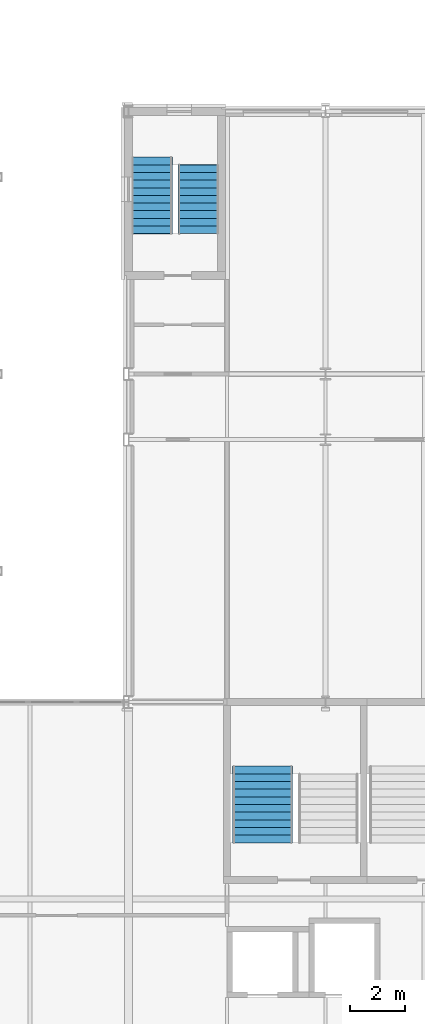
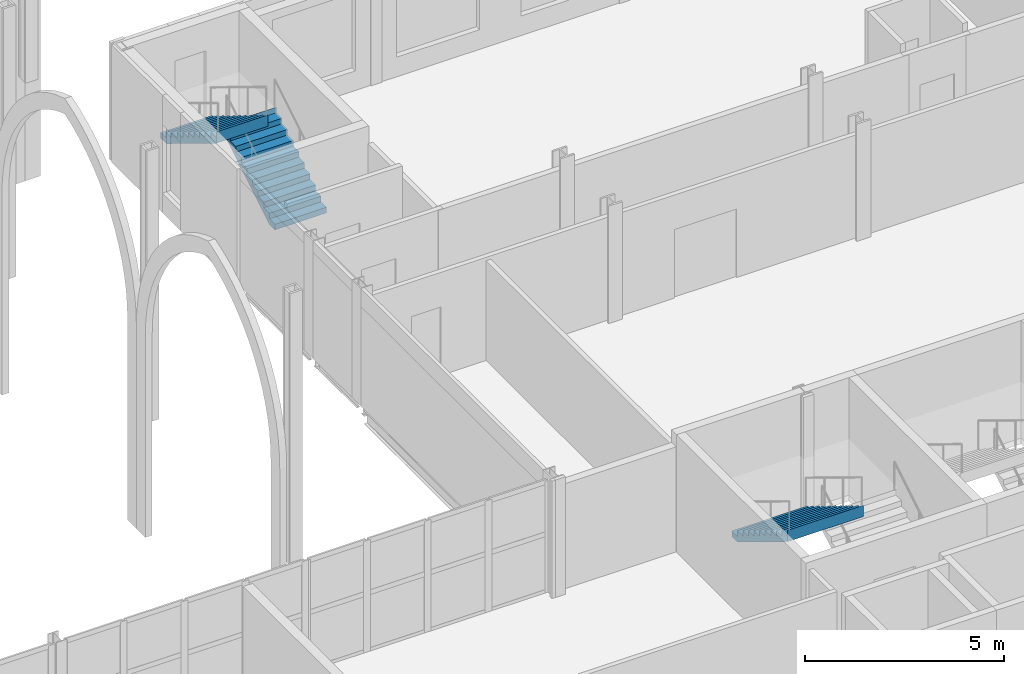
# One storey, part 89 of 124: 3 stair flights, 2 elements without a shape of their own.
"""IFC4 building model written with IfcOpenShell, lengths in metres."""

from ifc_helpers import new_model, si_unit, direction, frame, origin, place, context, subcontext, project, spatial, polyline, outline, extrude, material, type_object, element, aggregate, save


model = new_model("IFC4")

# Units and contexts
model_context = context("Model", 3, precision=1e-05, world=origin(), true_north=direction((0.0, 1.0)))
body_context = subcontext(model_context, "Body", "Model", "MODEL_VIEW")
ifc_project = project(units=[si_unit("LENGTHUNIT", "METRE"), si_unit("AREAUNIT", "SQUARE_METRE"), si_unit("VOLUMEUNIT", "CUBIC_METRE"), si_unit("PLANEANGLEUNIT", "RADIAN"), si_unit("MASSUNIT", "GRAM", prefix="KILO")], contexts=[model_context])

# Site, building, storey
site_placement = place(None, origin())
site = spatial("IfcSite", under=ifc_project, at=site_placement, CompositionType="ELEMENT")
building_placement = place(site_placement, origin())
building = spatial("IfcBuilding", under=site, at=building_placement, Name="Kupolbacken Congress Centre", CompositionType="ELEMENT")
storey_placement = place(building_placement, frame((0.0, 0.0, 10.800048828125)))
storey = spatial("IfcBuildingStorey", under=building, at=storey_placement, Name="L03", CompositionType="ELEMENT", Elevation=10.800048828125)

# Stair, stair flight
ifc_material_1 = material(Name="Concrete C30/37", Category="concrete")
stair_type_1 = type_object("IfcStairType", Name="ST13 stair 2200", PredefinedType="TWO_STRAIGHT_RUN_STAIR", material=ifc_material_1)
stair_1_placement = place(storey_placement, origin())
stair_1 = element("IfcStair", 1, at=stair_1_placement, inside=storey, type_object=stair_type_1, Name="C/stair/PS1NE/L03", PredefinedType="NOTDEFINED")
ifc_material_2 = material(Name="Concrete C30/37", Category="concrete")
stair_flight_type_1 = type_object("IfcStairFlightType", Name="FL14 stair flight 2200 x 11 risers", PredefinedType="STRAIGHT", material=ifc_material_2)
stair_flight_1_placement = place(storey_placement, frame((69.699951171875, 120.054931640625, 1.71435546875), z_axis=(0.0, 0.0, 1.0), x_axis=(0.0, -1.0, 0.0)))
stair_flight_1 = element("IfcStairFlight", 2, at=stair_flight_1_placement, type_object=stair_flight_type_1, Name="PS1NE flight 2", NumberOfRisers=11, NumberOfTreads=10, PredefinedType="STRAIGHT", RiserHeight=0.171428571, TreadLength=0.28, context=body_context, shape_type="SweptSolid", body=[
    extrude(outline(polyline([(0.0, 0.0), (0.0, 0.0009765625), (0.0, 0.002197265625), (0.0, 0.003173828125), (0.0, 0.004150390625), (0.0, 0.00537109375), (0.0, 0.00634765625), (0.0, 0.007568359375), (0.0, 0.008544921875), (0.0, 0.009521484375), (0.0, 0.0107421875), (0.0, 0.01171875), (0.0, 0.0126953125), (0.0, 0.013916015625), (0.0, 0.014892578125), (0.0, 0.015869140625), (0.0, 0.01708984375), (0.0, 0.01806640625), (0.0, 0.019287109375), (0.0, 0.020263671875), (0.0, 0.021240234375), (0.0, 0.0224609375), (0.0, 0.0234375), (0.0, 0.0244140625), (0.0, 0.025634765625), (0.0, 0.026611328125), (0.0, 0.027587890625), (0.0, 0.02880859375), (0.0, 0.02978515625), (0.0, 0.03076171875), (0.0, 0.031982421875), (0.0, 0.032958984375), (0.0, 0.0341796875), (0.0, 0.03515625), (0.0, 0.0361328125), (0.0, 0.037353515625), (0.0, 0.038330078125), (0.0, 0.039306640625), (0.0, 0.04052734375), (0.0, 0.04150390625), (0.0, 0.04248046875), (0.0, 0.043701171875), (0.0, 0.044677734375), (0.0, 0.0458984375), (0.0, 0.046875), (0.0, 0.0478515625), (0.0, 0.049072265625), (0.0, 0.050048828125), (0.0, 0.051025390625), (0.0, 0.05224609375), (0.0, 0.05322265625), (0.0, 0.05419921875), (0.0, 0.055419921875), (0.0, 0.056396484375), (0.0, 0.0576171875), (0.0, 0.05859375), (0.0, 0.0595703125), (0.0, 0.060791015625), (0.0, 0.061767578125), (0.0, 0.062744140625), (0.0, 0.06396484375), (0.0, 0.06494140625), (0.0, 0.06591796875), (0.0, 0.067138671875), (0.0, 0.068115234375), (0.0, 0.069091796875), (0.0, 0.0703125), (0.0, 0.0712890625), (0.0, 0.072509765625), (0.0, 0.073486328125), (0.0, 0.074462890625), (0.0, 0.07568359375), (0.0, 0.07666015625), (0.0, 0.07763671875), (0.0, 0.078857421875), (0.0, 0.079833984375), (0.0, 0.080810546875), (0.0, 0.08203125), (0.0, 0.0830078125), (0.0, 0.084228515625), (0.0, 0.085205078125), (0.0, 0.086181640625), (0.0, 0.08740234375), (0.0, 0.08837890625), (0.0, 0.08935546875), (0.0, 0.090576171875), (0.0, 0.091552734375), (0.0, 0.092529296875), (0.0, 0.09375), (0.0, 0.0947265625), (0.0, 0.095947265625), (0.0, 0.096923828125), (0.0, 0.097900390625), (0.0, 0.09912109375), (0.0, 0.10009765625), (0.0, 0.10107421875), (0.0, 0.102294921875), (0.0, 0.103271484375), (0.0, 0.104248046875), (0.0, 0.10546875), (0.0, 0.1064453125), (0.0, 0.107421875), (0.0, 0.108642578125), (0.0, 0.109619140625), (0.0, 0.11083984375), (0.0, 0.11181640625), (0.0, 0.11279296875), (0.0, 0.114013671875), (0.0, 0.114990234375), (0.0, 0.115966796875), (0.0, 0.1171875), (0.0, 0.1181640625), (0.0, 0.119140625), (0.0, 0.120361328125), (0.0, 0.121337890625), (0.0, 0.12255859375), (0.0, 0.12353515625), (0.0, 0.12451171875), (0.0, 0.125732421875), (0.0, 0.126708984375), (0.0, 0.127685546875), (0.0, 0.12890625), (0.0, 0.1298828125), (0.0, 0.130859375), (0.0, 0.132080078125), (0.0, 0.133056640625), (0.0, 0.13427734375), (0.0, 0.13525390625), (0.0, 0.13623046875), (0.0, 0.137451171875), (0.0, 0.138427734375), (0.0, 0.139404296875), (0.0, 0.140625), (0.0, 0.1416015625), (0.0, 0.142578125), (0.0, 0.143798828125), (0.0, 0.144775390625), (0.0, 0.145751953125), (0.0, 0.14697265625), (0.0, 0.14794921875), (0.0, 0.149169921875), (0.0, 0.150146484375), (0.0, 0.151123046875), (0.0, 0.15234375), (0.0, 0.1533203125), (0.0, 0.154296875), (0.0, 0.155517578125), (0.0, 0.156494140625), (0.0, 0.157470703125), (0.0, 0.15869140625), (0.0, 0.15966796875), (0.0, 0.160888671875), (0.0, 0.161865234375), (0.0, 0.162841796875), (0.0, 0.1640625), (0.0, 0.1650390625), (0.0, 0.166015625), (0.0, 0.167236328125), (0.0, 0.168212890625), (0.0, 0.169189453125), (0.0, 0.17041015625), (0.0, 0.17138671875), (0.280029296875, 0.17138671875), (0.280029296875, 0.3427734375), (0.56005859375, 0.3427734375), (0.56005859375, 0.514404296875), (0.840087890625, 0.514404296875), (0.840087890625, 0.685791015625), (1.1201171875, 0.685791015625), (1.1201171875, 0.857177734375), (1.39990234375, 0.857177734375), (1.39990234375, 1.028564453125), (1.679931640625, 1.028564453125), (1.679931640625, 1.199951171875), (1.9599609375, 1.199951171875), (1.9599609375, 1.371337890625), (2.239990234375, 1.371337890625), (2.239990234375, 1.54296875), (2.52001953125, 1.54296875), (2.52001953125, 1.71435546875), (2.800048828125, 1.71435546875), (2.800048828125, 1.8857421875), (2.802001953125, 1.8857421875), (2.802001953125, 1.883544921875), (2.802001953125, 1.88134765625), (2.802001953125, 1.879150390625), (2.802001953125, 1.877197265625), (2.802001953125, 1.875), (2.802001953125, 1.872802734375), (2.802001953125, 1.87060546875), (2.802001953125, 1.868408203125), (2.802001953125, 1.8662109375), (2.802001953125, 1.8642578125), (2.802001953125, 1.862060546875), (2.802001953125, 1.85986328125), (2.802001953125, 1.857666015625), (2.802001953125, 1.85546875), (2.802001953125, 1.853271484375), (2.802001953125, 1.851318359375), (2.802001953125, 1.84912109375), (2.802001953125, 1.846923828125), (2.802001953125, 1.8447265625), (2.802001953125, 1.842529296875), (2.802001953125, 1.84033203125), (2.802001953125, 1.83837890625), (2.802001953125, 1.836181640625), (2.802001953125, 1.833984375), (2.802001953125, 1.831787109375), (2.802001953125, 1.82958984375), (2.802001953125, 1.827392578125), (2.802001953125, 1.825439453125), (2.802001953125, 1.8232421875), (2.802001953125, 1.821044921875), (2.802001953125, 1.81884765625), (2.802001953125, 1.816650390625), (2.802001953125, 1.814453125), (2.802001953125, 1.8125), (2.802001953125, 1.810302734375), (2.802001953125, 1.80810546875), (2.802001953125, 1.805908203125), (2.802001953125, 1.8037109375), (2.802001953125, 1.801513671875), (2.802001953125, 1.799560546875), (2.802001953125, 1.79736328125), (2.802001953125, 1.795166015625), (2.802001953125, 1.79296875), (2.802001953125, 1.790771484375), (2.802001953125, 1.78857421875), (2.802001953125, 1.78662109375), (2.802001953125, 1.784423828125), (2.802001953125, 1.7822265625), (2.802001953125, 1.780029296875), (2.802001953125, 1.77783203125), (2.802001953125, 1.775634765625), (2.802001953125, 1.773681640625), (2.802001953125, 1.771484375), (2.802001953125, 1.769287109375), (2.802001953125, 1.76708984375), (2.802001953125, 1.764892578125), (2.802001953125, 1.7626953125), (2.802001953125, 1.7607421875), (2.802001953125, 1.758544921875), (2.802001953125, 1.75634765625), (2.802001953125, 1.754150390625), (2.802001953125, 1.751953125), (2.802001953125, 1.749755859375), (2.802001953125, 1.747802734375), (2.802001953125, 1.74560546875), (2.802001953125, 1.743408203125), (2.802001953125, 1.7412109375), (2.802001953125, 1.739013671875), (2.802001953125, 1.73681640625), (2.802001953125, 1.73486328125), (2.802001953125, 1.732666015625), (2.802001953125, 1.73046875), (2.802001953125, 1.728271484375), (2.802001953125, 1.72607421875), (2.802001953125, 1.723876953125), (2.802001953125, 1.721923828125), (2.802001953125, 1.7197265625), (2.802001953125, 1.717529296875), (2.802001953125, 1.71533203125), (2.802001953125, 1.713134765625), (2.802001953125, 1.7109375), (2.802001953125, 1.708984375), (2.802001953125, 1.706787109375), (2.802001953125, 1.70458984375), (2.802001953125, 1.702392578125), (2.802001953125, 1.7001953125), (2.802001953125, 1.697998046875), (2.802001953125, 1.696044921875), (2.802001953125, 1.69384765625), (2.802001953125, 1.691650390625), (2.802001953125, 1.689453125), (2.802001953125, 1.687255859375), (2.802001953125, 1.68505859375), (2.802001953125, 1.68310546875), (2.802001953125, 1.680908203125), (2.802001953125, 1.6787109375), (2.802001953125, 1.676513671875), (2.802001953125, 1.67431640625), (2.802001953125, 1.672119140625), (2.802001953125, 1.670166015625), (2.802001953125, 1.66796875), (2.802001953125, 1.665771484375), (2.802001953125, 1.66357421875), (2.802001953125, 1.661376953125), (2.802001953125, 1.6591796875), (2.802001953125, 1.6572265625), (2.802001953125, 1.655029296875), (2.802001953125, 1.65283203125), (2.802001953125, 1.650634765625), (2.802001953125, 1.6484375), (2.802001953125, 1.646240234375), (2.802001953125, 1.644287109375), (2.802001953125, 1.64208984375), (2.802001953125, 1.639892578125), (2.802001953125, 1.6376953125), (2.802001953125, 1.635498046875), (2.802001953125, 1.63330078125), (2.802001953125, 1.63134765625), (2.802001953125, 1.629150390625), (2.802001953125, 1.626953125), (2.802001953125, 1.624755859375), (2.802001953125, 1.62255859375), (2.802001953125, 1.620361328125), (2.802001953125, 1.618408203125), (2.802001953125, 1.6162109375), (2.802001953125, 1.614013671875), (2.802001953125, 1.61181640625), (2.802001953125, 1.609619140625), (2.802001953125, 1.607421875), (2.802001953125, 1.60546875), (2.802001953125, 1.603271484375), (2.802001953125, 1.60107421875), (2.802001953125, 1.598876953125), (2.802001953125, 1.5966796875), (2.802001953125, 1.594482421875), (2.802001953125, 1.592529296875), (2.802001953125, 1.59033203125), (2.802001953125, 1.588134765625), (2.802001953125, 1.5859375), (2.802001953125, 1.583740234375), (2.802001953125, 1.58154296875), (2.802001953125, 1.57958984375), (2.802001953125, 1.577392578125), (2.802001953125, 1.5751953125), (2.802001953125, 1.572998046875), (2.802001953125, 1.57080078125), (2.802001953125, 1.568603515625), (2.802001953125, 1.566650390625), (2.802001953125, 1.564453125), (2.802001953125, 1.562255859375), (2.802001953125, 1.56005859375), (2.802001953125, 1.557861328125), (2.802001953125, 1.5556640625), (2.802001953125, 1.5537109375), (2.802001953125, 1.551513671875), (2.802001953125, 1.54931640625), (2.802001953125, 1.547119140625), (2.802001953125, 1.544921875), (2.802001953125, 1.542724609375), (2.802001953125, 1.540771484375), (2.802001953125, 1.53857421875), (0.2890625, 0.0), (0.0, 0.0)])), frame((0.0, 1.10009765625, 0.0), z_axis=(0.0, -1.0, 0.0), x_axis=(1.0, 0.0, 0.0)), (0.0, 0.0, 1.0), 2.199951171875),
])
aggregate(stair_1, [stair_flight_1])

# Stair, stair flights
ifc_material_3 = material(Name="Steel S355", Category="steel")
stair_type_2 = type_object("IfcStairType", Name="ST2 stair 1500", PredefinedType="TWO_STRAIGHT_RUN_STAIR", material=ifc_material_3)
stair_2_placement = place(storey_placement, origin())
stair_2 = element("IfcStair", 3, at=stair_2_placement, inside=storey, type_object=stair_type_2, Name="C/stair/TS3/L03", PredefinedType="NOTDEFINED")
ifc_material_4 = material(Name="Steel S355", Category="steel")
stair_flight_type_2 = type_object("IfcStairFlightType", Name="FL3 stair flight 1500 x 10 risers", PredefinedType="STRAIGHT", material=ifc_material_4)
stair_flight_2_placement = place(storey_placement, frame((67.35009765625, 139.530029296875, 0.0), z_axis=(0.0, 0.0, 1.0), x_axis=(0.0, 1.0, 0.0)))
stair_flight_2 = element("IfcStairFlight", 4, at=stair_flight_2_placement, type_object=stair_flight_type_2, Name="TS3 flight 1", NumberOfRisers=10, NumberOfTreads=9, PredefinedType="STRAIGHT", RiserHeight=0.171428571, TreadLength=0.28, context=body_context, shape_type="SweptSolid", body=[
    extrude(outline(polyline([(0.0, 0.0), (0.0, 0.0009765625), (0.0, 0.002197265625), (0.0, 0.003173828125), (0.0, 0.004150390625), (0.0, 0.00537109375), (0.0, 0.00634765625), (0.0, 0.007568359375), (0.0, 0.008544921875), (0.0, 0.009521484375), (0.0, 0.0107421875), (0.0, 0.01171875), (0.0, 0.0126953125), (0.0, 0.013916015625), (0.0, 0.014892578125), (0.0, 0.015869140625), (0.0, 0.01708984375), (0.0, 0.01806640625), (0.0, 0.019287109375), (0.0, 0.020263671875), (0.0, 0.021240234375), (0.0, 0.0224609375), (0.0, 0.0234375), (0.0, 0.0244140625), (0.0, 0.025634765625), (0.0, 0.026611328125), (0.0, 0.027587890625), (0.0, 0.02880859375), (0.0, 0.02978515625), (0.0, 0.03076171875), (0.0, 0.031982421875), (0.0, 0.032958984375), (0.0, 0.0341796875), (0.0, 0.03515625), (0.0, 0.0361328125), (0.0, 0.037353515625), (0.0, 0.038330078125), (0.0, 0.039306640625), (0.0, 0.04052734375), (0.0, 0.04150390625), (0.0, 0.04248046875), (0.0, 0.043701171875), (0.0, 0.044677734375), (0.0, 0.0458984375), (0.0, 0.046875), (0.0, 0.0478515625), (0.0, 0.049072265625), (0.0, 0.050048828125), (0.0, 0.051025390625), (0.0, 0.05224609375), (0.0, 0.05322265625), (0.0, 0.05419921875), (0.0, 0.055419921875), (0.0, 0.056396484375), (0.0, 0.0576171875), (0.0, 0.05859375), (0.0, 0.0595703125), (0.0, 0.060791015625), (0.0, 0.061767578125), (0.0, 0.062744140625), (0.0, 0.06396484375), (0.0, 0.06494140625), (0.0, 0.06591796875), (0.0, 0.067138671875), (0.0, 0.068115234375), (0.0, 0.069091796875), (0.0, 0.0703125), (0.0, 0.0712890625), (0.0, 0.072509765625), (0.0, 0.073486328125), (0.0, 0.074462890625), (0.0, 0.07568359375), (0.0, 0.07666015625), (0.0, 0.07763671875), (0.0, 0.078857421875), (0.0, 0.079833984375), (0.0, 0.080810546875), (0.0, 0.08203125), (0.0, 0.0830078125), (0.0, 0.084228515625), (0.0, 0.085205078125), (0.0, 0.086181640625), (0.0, 0.08740234375), (0.0, 0.08837890625), (0.0, 0.08935546875), (0.0, 0.090576171875), (0.0, 0.091552734375), (0.0, 0.092529296875), (0.0, 0.09375), (0.0, 0.0947265625), (0.0, 0.095947265625), (0.0, 0.096923828125), (0.0, 0.097900390625), (0.0, 0.09912109375), (0.0, 0.10009765625), (0.0, 0.10107421875), (0.0, 0.102294921875), (0.0, 0.103271484375), (0.0, 0.104248046875), (0.0, 0.10546875), (0.0, 0.1064453125), (0.0, 0.107421875), (0.0, 0.108642578125), (0.0, 0.109619140625), (0.0, 0.11083984375), (0.0, 0.11181640625), (0.0, 0.11279296875), (0.0, 0.114013671875), (0.0, 0.114990234375), (0.0, 0.115966796875), (0.0, 0.1171875), (0.0, 0.1181640625), (0.0, 0.119140625), (0.0, 0.120361328125), (0.0, 0.121337890625), (0.0, 0.12255859375), (0.0, 0.12353515625), (0.0, 0.12451171875), (0.0, 0.125732421875), (0.0, 0.126708984375), (0.0, 0.127685546875), (0.0, 0.12890625), (0.0, 0.1298828125), (0.0, 0.130859375), (0.0, 0.132080078125), (0.0, 0.133056640625), (0.0, 0.13427734375), (0.0, 0.13525390625), (0.0, 0.13623046875), (0.0, 0.137451171875), (0.0, 0.138427734375), (0.0, 0.139404296875), (0.0, 0.140625), (0.0, 0.1416015625), (0.0, 0.142578125), (0.0, 0.143798828125), (0.0, 0.144775390625), (0.0, 0.145751953125), (0.0, 0.14697265625), (0.0, 0.14794921875), (0.0, 0.149169921875), (0.0, 0.150146484375), (0.0, 0.151123046875), (0.0, 0.15234375), (0.0, 0.1533203125), (0.0, 0.154296875), (0.0, 0.155517578125), (0.0, 0.156494140625), (0.0, 0.157470703125), (0.0, 0.15869140625), (0.0, 0.15966796875), (0.0, 0.160888671875), (0.0, 0.161865234375), (0.0, 0.162841796875), (0.0, 0.1640625), (0.0, 0.1650390625), (0.0, 0.166015625), (0.0, 0.167236328125), (0.0, 0.168212890625), (0.0, 0.169189453125), (0.0, 0.17041015625), (0.0, 0.17138671875), (0.280029296875, 0.17138671875), (0.280029296875, 0.3427734375), (0.56005859375, 0.3427734375), (0.56005859375, 0.514404296875), (0.840087890625, 0.514404296875), (0.840087890625, 0.685791015625), (1.1201171875, 0.685791015625), (1.1201171875, 0.857177734375), (1.39990234375, 0.857177734375), (1.39990234375, 1.028564453125), (1.679931640625, 1.028564453125), (1.679931640625, 1.199951171875), (1.9599609375, 1.199951171875), (1.9599609375, 1.371337890625), (2.239990234375, 1.371337890625), (2.239990234375, 1.54296875), (2.52001953125, 1.54296875), (2.52001953125, 1.71435546875), (2.52197265625, 1.71435546875), (2.52197265625, 1.712158203125), (2.52197265625, 1.7099609375), (2.52197265625, 1.707763671875), (2.52197265625, 1.70556640625), (2.52197265625, 1.70361328125), (2.52197265625, 1.701416015625), (2.52197265625, 1.69921875), (2.52197265625, 1.697021484375), (2.52197265625, 1.69482421875), (2.52197265625, 1.692626953125), (2.52197265625, 1.690673828125), (2.52197265625, 1.6884765625), (2.52197265625, 1.686279296875), (2.52197265625, 1.68408203125), (2.52197265625, 1.681884765625), (2.52197265625, 1.6796875), (2.52197265625, 1.677734375), (2.52197265625, 1.675537109375), (2.52197265625, 1.67333984375), (2.52197265625, 1.671142578125), (2.52197265625, 1.6689453125), (2.52197265625, 1.666748046875), (2.52197265625, 1.664794921875), (2.52197265625, 1.66259765625), (2.52197265625, 1.660400390625), (2.52197265625, 1.658203125), (2.52197265625, 1.656005859375), (2.52197265625, 1.65380859375), (2.52197265625, 1.65185546875), (2.52197265625, 1.649658203125), (2.52197265625, 1.6474609375), (2.52197265625, 1.645263671875), (2.52197265625, 1.64306640625), (2.52197265625, 1.640869140625), (2.52197265625, 1.638916015625), (2.52197265625, 1.63671875), (2.52197265625, 1.634521484375), (2.52197265625, 1.63232421875), (2.52197265625, 1.630126953125), (2.52197265625, 1.6279296875), (2.52197265625, 1.6259765625), (2.52197265625, 1.623779296875), (2.52197265625, 1.62158203125), (2.52197265625, 1.619384765625), (2.52197265625, 1.6171875), (2.52197265625, 1.614990234375), (2.52197265625, 1.613037109375), (2.52197265625, 1.61083984375), (2.52197265625, 1.608642578125), (2.52197265625, 1.6064453125), (2.52197265625, 1.604248046875), (2.52197265625, 1.60205078125), (2.52197265625, 1.60009765625), (2.52197265625, 1.597900390625), (2.52197265625, 1.595703125), (2.52197265625, 1.593505859375), (2.52197265625, 1.59130859375), (2.52197265625, 1.589111328125), (2.52197265625, 1.587158203125), (2.52197265625, 1.5849609375), (2.52197265625, 1.582763671875), (2.52197265625, 1.58056640625), (2.52197265625, 1.578369140625), (2.52197265625, 1.576171875), (2.52197265625, 1.57421875), (2.52197265625, 1.572021484375), (2.52197265625, 1.56982421875), (2.52197265625, 1.567626953125), (2.52197265625, 1.5654296875), (2.52197265625, 1.563232421875), (2.52197265625, 1.561279296875), (2.52197265625, 1.55908203125), (2.52197265625, 1.556884765625), (2.52197265625, 1.5546875), (2.52197265625, 1.552490234375), (2.52197265625, 1.55029296875), (2.52197265625, 1.54833984375), (2.52197265625, 1.546142578125), (2.52197265625, 1.5439453125), (2.52197265625, 1.541748046875), (2.52197265625, 1.53955078125), (2.52197265625, 1.537353515625), (2.52197265625, 1.535400390625), (2.52197265625, 1.533203125), (2.52197265625, 1.531005859375), (2.52197265625, 1.52880859375), (2.52197265625, 1.526611328125), (2.52197265625, 1.5244140625), (2.52197265625, 1.5224609375), (2.52197265625, 1.520263671875), (2.52197265625, 1.51806640625), (2.52197265625, 1.515869140625), (2.52197265625, 1.513671875), (2.52197265625, 1.511474609375), (2.52197265625, 1.509521484375), (2.52197265625, 1.50732421875), (2.52197265625, 1.505126953125), (2.52197265625, 1.5029296875), (2.52197265625, 1.500732421875), (2.52197265625, 1.49853515625), (2.52197265625, 1.49658203125), (2.52197265625, 1.494384765625), (2.52197265625, 1.4921875), (2.52197265625, 1.489990234375), (2.52197265625, 1.48779296875), (2.52197265625, 1.485595703125), (2.52197265625, 1.483642578125), (2.52197265625, 1.4814453125), (2.52197265625, 1.479248046875), (2.52197265625, 1.47705078125), (2.52197265625, 1.474853515625), (2.52197265625, 1.47265625), (2.52197265625, 1.470703125), (2.52197265625, 1.468505859375), (2.52197265625, 1.46630859375), (2.52197265625, 1.464111328125), (2.52197265625, 1.4619140625), (2.52197265625, 1.459716796875), (2.52197265625, 1.457763671875), (2.52197265625, 1.45556640625), (2.52197265625, 1.453369140625), (2.52197265625, 1.451171875), (2.52197265625, 1.448974609375), (2.52197265625, 1.44677734375), (2.52197265625, 1.44482421875), (2.52197265625, 1.442626953125), (2.52197265625, 1.4404296875), (2.52197265625, 1.438232421875), (2.52197265625, 1.43603515625), (2.52197265625, 1.433837890625), (2.52197265625, 1.431884765625), (2.52197265625, 1.4296875), (2.52197265625, 1.427490234375), (2.52197265625, 1.42529296875), (2.52197265625, 1.423095703125), (2.52197265625, 1.4208984375), (2.52197265625, 1.4189453125), (2.52197265625, 1.416748046875), (2.52197265625, 1.41455078125), (2.52197265625, 1.412353515625), (2.52197265625, 1.41015625), (2.52197265625, 1.407958984375), (2.52197265625, 1.406005859375), (2.52197265625, 1.40380859375), (2.52197265625, 1.401611328125), (2.52197265625, 1.3994140625), (2.52197265625, 1.397216796875), (2.52197265625, 1.39501953125), (2.52197265625, 1.39306640625), (2.52197265625, 1.390869140625), (2.52197265625, 1.388671875), (2.52197265625, 1.386474609375), (2.52197265625, 1.38427734375), (2.52197265625, 1.382080078125), (2.52197265625, 1.380126953125), (2.52197265625, 1.3779296875), (2.52197265625, 1.375732421875), (2.52197265625, 1.37353515625), (2.52197265625, 1.371337890625), (2.52197265625, 1.369140625), (2.52197265625, 1.3671875), (0.2890625, 0.0), (0.0, 0.0)])), frame((0.0, 0.75, 0.0), z_axis=(0.0, -1.0, 0.0), x_axis=(1.0, 0.0, 0.0)), (0.0, 0.0, 1.0), 1.5),
])
ifc_material_5 = material(Name="Steel S355", Category="steel")
stair_flight_type_3 = type_object("IfcStairFlightType", Name="FL4 stair flight 1500 x 11 risers", PredefinedType="STRAIGHT", material=ifc_material_5)
stair_flight_3_placement = place(storey_placement, frame((65.64990234375, 142.330078125, 1.71435546875), z_axis=(0.0, 0.0, 1.0), x_axis=(0.0, -1.0, 0.0)))
stair_flight_3 = element("IfcStairFlight", 5, at=stair_flight_3_placement, type_object=stair_flight_type_3, Name="TS3 flight 2", NumberOfRisers=11, NumberOfTreads=10, PredefinedType="STRAIGHT", RiserHeight=0.171428571, TreadLength=0.28, context=body_context, shape_type="SweptSolid", body=[
    extrude(outline(polyline([(0.0, 0.0), (0.0, 0.0009765625), (0.0, 0.002197265625), (0.0, 0.003173828125), (0.0, 0.004150390625), (0.0, 0.00537109375), (0.0, 0.00634765625), (0.0, 0.007568359375), (0.0, 0.008544921875), (0.0, 0.009521484375), (0.0, 0.0107421875), (0.0, 0.01171875), (0.0, 0.0126953125), (0.0, 0.013916015625), (0.0, 0.014892578125), (0.0, 0.015869140625), (0.0, 0.01708984375), (0.0, 0.01806640625), (0.0, 0.019287109375), (0.0, 0.020263671875), (0.0, 0.021240234375), (0.0, 0.0224609375), (0.0, 0.0234375), (0.0, 0.0244140625), (0.0, 0.025634765625), (0.0, 0.026611328125), (0.0, 0.027587890625), (0.0, 0.02880859375), (0.0, 0.02978515625), (0.0, 0.03076171875), (0.0, 0.031982421875), (0.0, 0.032958984375), (0.0, 0.0341796875), (0.0, 0.03515625), (0.0, 0.0361328125), (0.0, 0.037353515625), (0.0, 0.038330078125), (0.0, 0.039306640625), (0.0, 0.04052734375), (0.0, 0.04150390625), (0.0, 0.04248046875), (0.0, 0.043701171875), (0.0, 0.044677734375), (0.0, 0.0458984375), (0.0, 0.046875), (0.0, 0.0478515625), (0.0, 0.049072265625), (0.0, 0.050048828125), (0.0, 0.051025390625), (0.0, 0.05224609375), (0.0, 0.05322265625), (0.0, 0.05419921875), (0.0, 0.055419921875), (0.0, 0.056396484375), (0.0, 0.0576171875), (0.0, 0.05859375), (0.0, 0.0595703125), (0.0, 0.060791015625), (0.0, 0.061767578125), (0.0, 0.062744140625), (0.0, 0.06396484375), (0.0, 0.06494140625), (0.0, 0.06591796875), (0.0, 0.067138671875), (0.0, 0.068115234375), (0.0, 0.069091796875), (0.0, 0.0703125), (0.0, 0.0712890625), (0.0, 0.072509765625), (0.0, 0.073486328125), (0.0, 0.074462890625), (0.0, 0.07568359375), (0.0, 0.07666015625), (0.0, 0.07763671875), (0.0, 0.078857421875), (0.0, 0.079833984375), (0.0, 0.080810546875), (0.0, 0.08203125), (0.0, 0.0830078125), (0.0, 0.084228515625), (0.0, 0.085205078125), (0.0, 0.086181640625), (0.0, 0.08740234375), (0.0, 0.08837890625), (0.0, 0.08935546875), (0.0, 0.090576171875), (0.0, 0.091552734375), (0.0, 0.092529296875), (0.0, 0.09375), (0.0, 0.0947265625), (0.0, 0.095947265625), (0.0, 0.096923828125), (0.0, 0.097900390625), (0.0, 0.09912109375), (0.0, 0.10009765625), (0.0, 0.10107421875), (0.0, 0.102294921875), (0.0, 0.103271484375), (0.0, 0.104248046875), (0.0, 0.10546875), (0.0, 0.1064453125), (0.0, 0.107421875), (0.0, 0.108642578125), (0.0, 0.109619140625), (0.0, 0.11083984375), (0.0, 0.11181640625), (0.0, 0.11279296875), (0.0, 0.114013671875), (0.0, 0.114990234375), (0.0, 0.115966796875), (0.0, 0.1171875), (0.0, 0.1181640625), (0.0, 0.119140625), (0.0, 0.120361328125), (0.0, 0.121337890625), (0.0, 0.12255859375), (0.0, 0.12353515625), (0.0, 0.12451171875), (0.0, 0.125732421875), (0.0, 0.126708984375), (0.0, 0.127685546875), (0.0, 0.12890625), (0.0, 0.1298828125), (0.0, 0.130859375), (0.0, 0.132080078125), (0.0, 0.133056640625), (0.0, 0.13427734375), (0.0, 0.13525390625), (0.0, 0.13623046875), (0.0, 0.137451171875), (0.0, 0.138427734375), (0.0, 0.139404296875), (0.0, 0.140625), (0.0, 0.1416015625), (0.0, 0.142578125), (0.0, 0.143798828125), (0.0, 0.144775390625), (0.0, 0.145751953125), (0.0, 0.14697265625), (0.0, 0.14794921875), (0.0, 0.149169921875), (0.0, 0.150146484375), (0.0, 0.151123046875), (0.0, 0.15234375), (0.0, 0.1533203125), (0.0, 0.154296875), (0.0, 0.155517578125), (0.0, 0.156494140625), (0.0, 0.157470703125), (0.0, 0.15869140625), (0.0, 0.15966796875), (0.0, 0.160888671875), (0.0, 0.161865234375), (0.0, 0.162841796875), (0.0, 0.1640625), (0.0, 0.1650390625), (0.0, 0.166015625), (0.0, 0.167236328125), (0.0, 0.168212890625), (0.0, 0.169189453125), (0.0, 0.17041015625), (0.0, 0.17138671875), (0.280029296875, 0.17138671875), (0.280029296875, 0.3427734375), (0.56005859375, 0.3427734375), (0.56005859375, 0.514404296875), (0.840087890625, 0.514404296875), (0.840087890625, 0.685791015625), (1.1201171875, 0.685791015625), (1.1201171875, 0.857177734375), (1.39990234375, 0.857177734375), (1.39990234375, 1.028564453125), (1.679931640625, 1.028564453125), (1.679931640625, 1.199951171875), (1.9599609375, 1.199951171875), (1.9599609375, 1.371337890625), (2.239990234375, 1.371337890625), (2.239990234375, 1.54296875), (2.52001953125, 1.54296875), (2.52001953125, 1.71435546875), (2.800048828125, 1.71435546875), (2.800048828125, 1.8857421875), (2.802001953125, 1.8857421875), (2.802001953125, 1.883544921875), (2.802001953125, 1.88134765625), (2.802001953125, 1.879150390625), (2.802001953125, 1.877197265625), (2.802001953125, 1.875), (2.802001953125, 1.872802734375), (2.802001953125, 1.87060546875), (2.802001953125, 1.868408203125), (2.802001953125, 1.8662109375), (2.802001953125, 1.8642578125), (2.802001953125, 1.862060546875), (2.802001953125, 1.85986328125), (2.802001953125, 1.857666015625), (2.802001953125, 1.85546875), (2.802001953125, 1.853271484375), (2.802001953125, 1.851318359375), (2.802001953125, 1.84912109375), (2.802001953125, 1.846923828125), (2.802001953125, 1.8447265625), (2.802001953125, 1.842529296875), (2.802001953125, 1.84033203125), (2.802001953125, 1.83837890625), (2.802001953125, 1.836181640625), (2.802001953125, 1.833984375), (2.802001953125, 1.831787109375), (2.802001953125, 1.82958984375), (2.802001953125, 1.827392578125), (2.802001953125, 1.825439453125), (2.802001953125, 1.8232421875), (2.802001953125, 1.821044921875), (2.802001953125, 1.81884765625), (2.802001953125, 1.816650390625), (2.802001953125, 1.814453125), (2.802001953125, 1.8125), (2.802001953125, 1.810302734375), (2.802001953125, 1.80810546875), (2.802001953125, 1.805908203125), (2.802001953125, 1.8037109375), (2.802001953125, 1.801513671875), (2.802001953125, 1.799560546875), (2.802001953125, 1.79736328125), (2.802001953125, 1.795166015625), (2.802001953125, 1.79296875), (2.802001953125, 1.790771484375), (2.802001953125, 1.78857421875), (2.802001953125, 1.78662109375), (2.802001953125, 1.784423828125), (2.802001953125, 1.7822265625), (2.802001953125, 1.780029296875), (2.802001953125, 1.77783203125), (2.802001953125, 1.775634765625), (2.802001953125, 1.773681640625), (2.802001953125, 1.771484375), (2.802001953125, 1.769287109375), (2.802001953125, 1.76708984375), (2.802001953125, 1.764892578125), (2.802001953125, 1.7626953125), (2.802001953125, 1.7607421875), (2.802001953125, 1.758544921875), (2.802001953125, 1.75634765625), (2.802001953125, 1.754150390625), (2.802001953125, 1.751953125), (2.802001953125, 1.749755859375), (2.802001953125, 1.747802734375), (2.802001953125, 1.74560546875), (2.802001953125, 1.743408203125), (2.802001953125, 1.7412109375), (2.802001953125, 1.739013671875), (2.802001953125, 1.73681640625), (2.802001953125, 1.73486328125), (2.802001953125, 1.732666015625), (2.802001953125, 1.73046875), (2.802001953125, 1.728271484375), (2.802001953125, 1.72607421875), (2.802001953125, 1.723876953125), (2.802001953125, 1.721923828125), (2.802001953125, 1.7197265625), (2.802001953125, 1.717529296875), (2.802001953125, 1.71533203125), (2.802001953125, 1.713134765625), (2.802001953125, 1.7109375), (2.802001953125, 1.708984375), (2.802001953125, 1.706787109375), (2.802001953125, 1.70458984375), (2.802001953125, 1.702392578125), (2.802001953125, 1.7001953125), (2.802001953125, 1.697998046875), (2.802001953125, 1.696044921875), (2.802001953125, 1.69384765625), (2.802001953125, 1.691650390625), (2.802001953125, 1.689453125), (2.802001953125, 1.687255859375), (2.802001953125, 1.68505859375), (2.802001953125, 1.68310546875), (2.802001953125, 1.680908203125), (2.802001953125, 1.6787109375), (2.802001953125, 1.676513671875), (2.802001953125, 1.67431640625), (2.802001953125, 1.672119140625), (2.802001953125, 1.670166015625), (2.802001953125, 1.66796875), (2.802001953125, 1.665771484375), (2.802001953125, 1.66357421875), (2.802001953125, 1.661376953125), (2.802001953125, 1.6591796875), (2.802001953125, 1.6572265625), (2.802001953125, 1.655029296875), (2.802001953125, 1.65283203125), (2.802001953125, 1.650634765625), (2.802001953125, 1.6484375), (2.802001953125, 1.646240234375), (2.802001953125, 1.644287109375), (2.802001953125, 1.64208984375), (2.802001953125, 1.639892578125), (2.802001953125, 1.6376953125), (2.802001953125, 1.635498046875), (2.802001953125, 1.63330078125), (2.802001953125, 1.63134765625), (2.802001953125, 1.629150390625), (2.802001953125, 1.626953125), (2.802001953125, 1.624755859375), (2.802001953125, 1.62255859375), (2.802001953125, 1.620361328125), (2.802001953125, 1.618408203125), (2.802001953125, 1.6162109375), (2.802001953125, 1.614013671875), (2.802001953125, 1.61181640625), (2.802001953125, 1.609619140625), (2.802001953125, 1.607421875), (2.802001953125, 1.60546875), (2.802001953125, 1.603271484375), (2.802001953125, 1.60107421875), (2.802001953125, 1.598876953125), (2.802001953125, 1.5966796875), (2.802001953125, 1.594482421875), (2.802001953125, 1.592529296875), (2.802001953125, 1.59033203125), (2.802001953125, 1.588134765625), (2.802001953125, 1.5859375), (2.802001953125, 1.583740234375), (2.802001953125, 1.58154296875), (2.802001953125, 1.57958984375), (2.802001953125, 1.577392578125), (2.802001953125, 1.5751953125), (2.802001953125, 1.572998046875), (2.802001953125, 1.57080078125), (2.802001953125, 1.568603515625), (2.802001953125, 1.566650390625), (2.802001953125, 1.564453125), (2.802001953125, 1.562255859375), (2.802001953125, 1.56005859375), (2.802001953125, 1.557861328125), (2.802001953125, 1.5556640625), (2.802001953125, 1.5537109375), (2.802001953125, 1.551513671875), (2.802001953125, 1.54931640625), (2.802001953125, 1.547119140625), (2.802001953125, 1.544921875), (2.802001953125, 1.542724609375), (2.802001953125, 1.540771484375), (2.802001953125, 1.53857421875), (0.2890625, 0.0), (0.0, 0.0)])), frame((0.0, 0.75, 0.0), z_axis=(0.0, -1.0, 0.0), x_axis=(1.0, 0.0, 0.0)), (0.0, 0.0, 1.0), 1.5),
])
aggregate(stair_2, [stair_flight_2, stair_flight_3])

save(model, "model.ifc")
